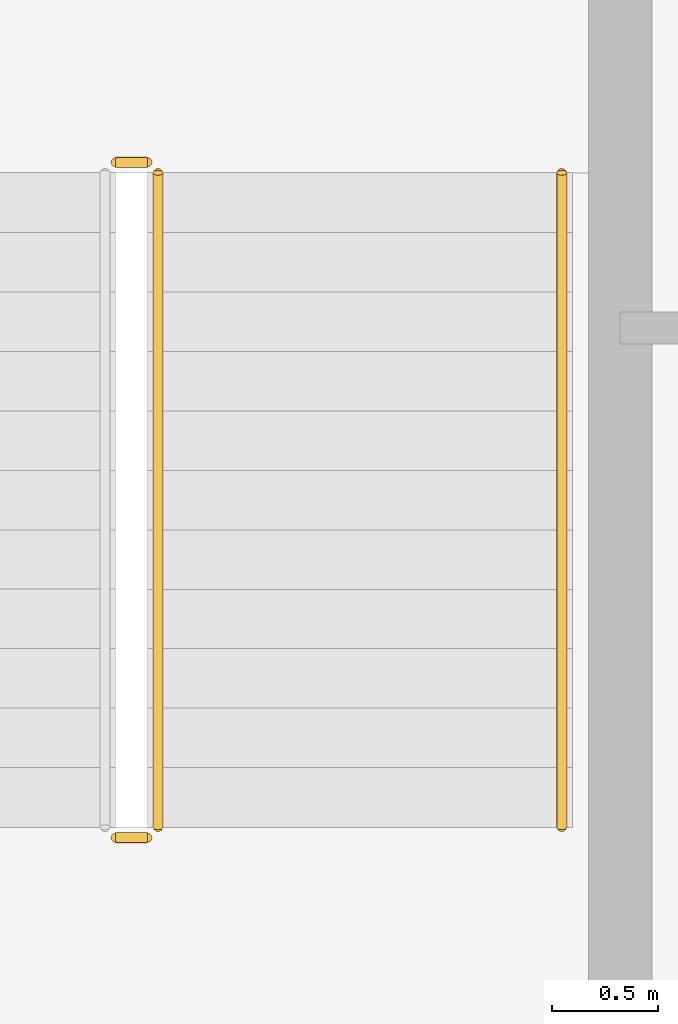
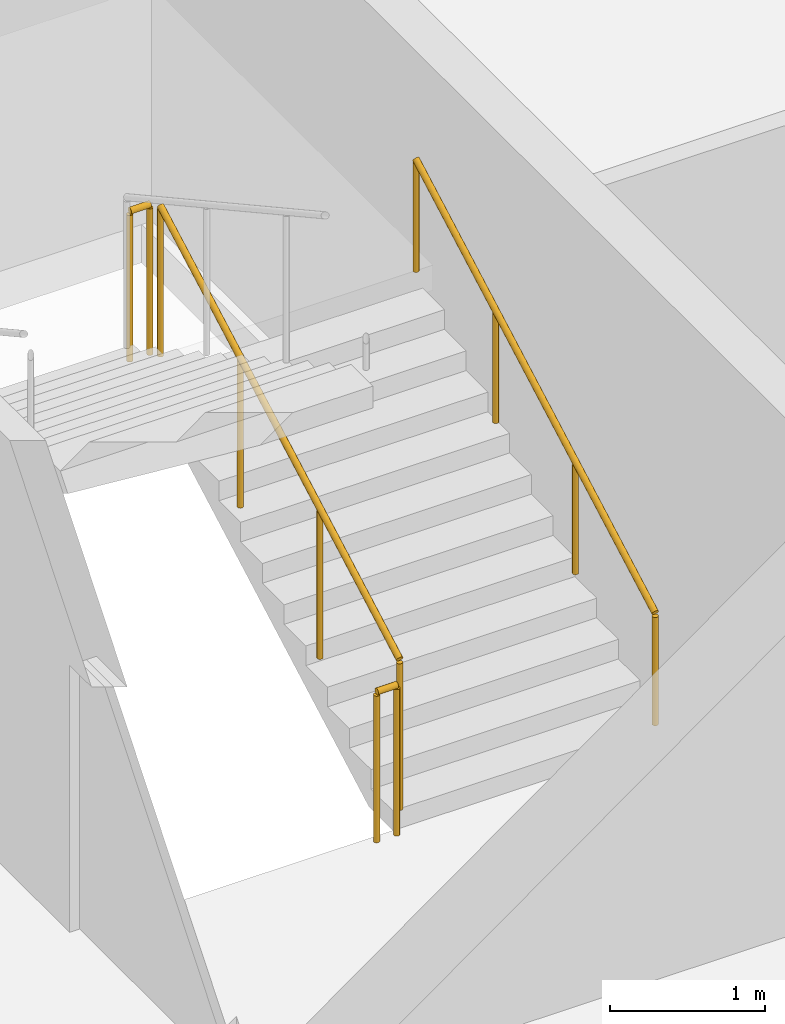
# One storey, part 15 of 15: 4 railings.
"""IFC4 building model written with IfcOpenShell, lengths in metres."""

from ifc_helpers import new_model, si_unit, direction, frame, origin, origin_2d, place, context, subcontext, project, spatial, circle, extrude, material, type_object, element, save


model = new_model("IFC4")

# Units and contexts
model_context = context("Model", 3, precision=1e-05, world=origin(), true_north=direction((0.0, 1.0)))
body_context = subcontext(model_context, "Body", "Model", "MODEL_VIEW")
ifc_project = project(units=[si_unit("LENGTHUNIT", "METRE"), si_unit("AREAUNIT", "SQUARE_METRE"), si_unit("VOLUMEUNIT", "CUBIC_METRE"), si_unit("PLANEANGLEUNIT", "RADIAN"), si_unit("MASSUNIT", "GRAM", prefix="KILO")], contexts=[model_context])

# Site, building, storey
site_placement = place(None, origin())
site = spatial("IfcSite", under=ifc_project, at=site_placement, CompositionType="ELEMENT")
building_placement = place(site_placement, origin())
building = spatial("IfcBuilding", under=site, at=building_placement, Name="Caravel Reach Hotel and Residences", CompositionType="ELEMENT")
storey_placement = place(building_placement, frame((0.0, 0.0, 172.800048828125)))
storey = spatial("IfcBuildingStorey", under=building, at=storey_placement, Name="L43", CompositionType="ELEMENT", Elevation=172.800048828125)

# Railings
ifc_material_1 = material(Name="Steel balustrade with glass infill", Category="steel")
railing_type_1 = type_object("IfcRailingType", Name="Guard 1200", PredefinedType="GUARDRAIL", material=ifc_material_1)
railing_1_placement = place(storey_placement, frame((42.824951171875, 24.64990234375, 0.154052734375)))
element("IfcRailing", 1, at=railing_1_placement, inside=storey, type_object=railing_type_1, Name="L43 ST-B stair guard 1", PredefinedType="GUARDRAIL", context=body_context, shape_type="SweptSolid", body=[
    extrude(circle(Radius=0.02392578125, at=origin_2d()), frame((0.0, 0.0, 1.17578125), z_axis=(0.0, 0.876004717809, 0.482302534076), x_axis=(-1.0, 0.0, 0.0)), (0.0, 0.0, 1.0), 3.51611328125),
    extrude(circle(Radius=0.02099609375, at=origin_2d()), origin(), (0.0, 0.0, 1.0), 1.15185546875),
    extrude(circle(Radius=0.02099609375, at=origin_2d()), frame((0.0, 1.026611328125, 0.565185546875)), (0.0, 0.0, 1.0), 1.15185546875),
    extrude(circle(Radius=0.02099609375, at=origin_2d()), frame((0.0, 2.053466796875, 1.130615234375)), (0.0, 0.0, 1.0), 1.15185546875),
    extrude(circle(Radius=0.02099609375, at=origin_2d()), frame((0.0, 3.080078125, 1.69580078125)), (0.0, 0.0, 1.0), 1.15185546875),
])
for number, where, name in (
    (2, (42.77490234375, 27.780029296875, 1.849853515625), "L43 ST-B stair guard 2"),
    (3, (42.77490234375, 24.60009765625, 0.0), "L43 ST-B stair guard 4"),
):
    element("IfcRailing", number, at=place(storey_placement, frame(where)), inside=storey, type_object=railing_type_1, Name=name, PredefinedType="GUARDRAIL", context=body_context, shape_type="SweptSolid", body=[
        extrude(circle(Radius=0.02392578125, at=origin_2d()), frame((0.0, 0.0, 1.17578125), z_axis=(-1.0, 0.0, 0.0), x_axis=(0.0, -1.0, 0.0)), (0.0, 0.0, 1.0), 0.14990234375),
        extrude(circle(Radius=0.02099609375, at=origin_2d()), origin(), (0.0, 0.0, 1.0), 1.15185546875),
        extrude(circle(Radius=0.02099609375, at=origin_2d()), frame((-0.14990234375, 0.0, 0.0)), (0.0, 0.0, 1.0), 1.15185546875),
    ])
ifc_material_2 = material(Name="Stainless steel handrail", Category="steel")
railing_type_2 = type_object("IfcRailingType", Name="Handrail 900", PredefinedType="HANDRAIL", material=ifc_material_2)
railing_2_placement = place(storey_placement, frame((44.72509765625, 24.64990234375, 0.154052734375)))
element("IfcRailing", 4, at=railing_2_placement, inside=storey, type_object=railing_type_2, Name="L43 ST-B stair handrail 1", PredefinedType="HANDRAIL", context=body_context, shape_type="SweptSolid", body=[
    extrude(circle(Radius=0.02392578125, at=origin_2d()), frame((0.0, 0.0, 0.8759765625), z_axis=(0.0, 0.876004717809, 0.482302534076), x_axis=(-1.0, 0.0, 0.0)), (0.0, 0.0, 1.0), 3.51611328125),
    extrude(circle(Radius=0.02099609375, at=origin_2d()), origin(), (0.0, 0.0, 1.0), 0.851806640625),
    extrude(circle(Radius=0.02099609375, at=origin_2d()), frame((0.0, 1.026611328125, 0.565185546875)), (0.0, 0.0, 1.0), 0.851806640625),
    extrude(circle(Radius=0.02099609375, at=origin_2d()), frame((0.0, 2.053466796875, 1.130615234375)), (0.0, 0.0, 1.0), 0.851806640625),
    extrude(circle(Radius=0.02099609375, at=origin_2d()), frame((0.0, 3.080078125, 1.69580078125)), (0.0, 0.0, 1.0), 0.851806640625),
])

save(model, "model.ifc")
